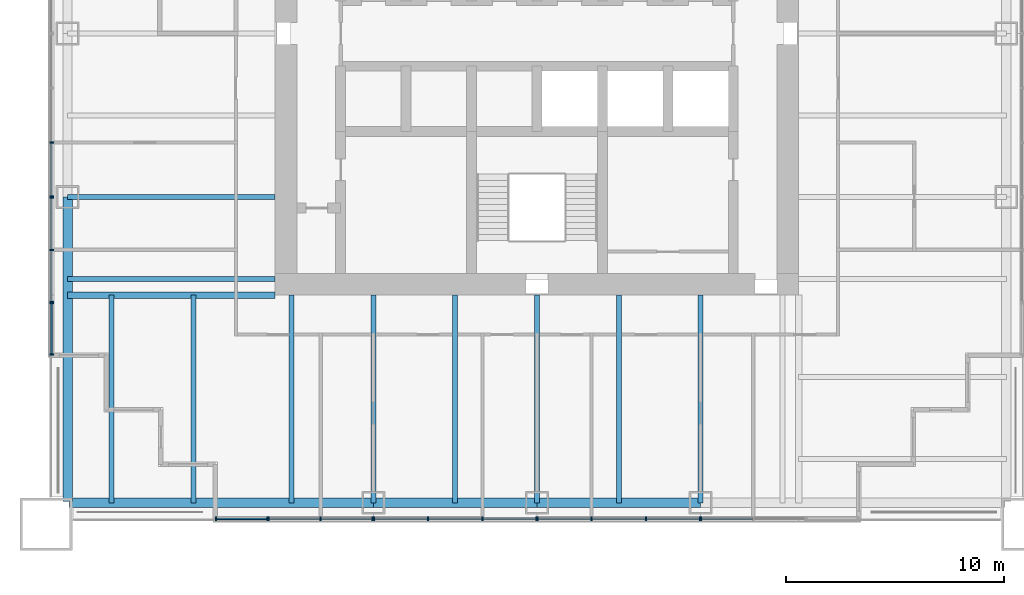
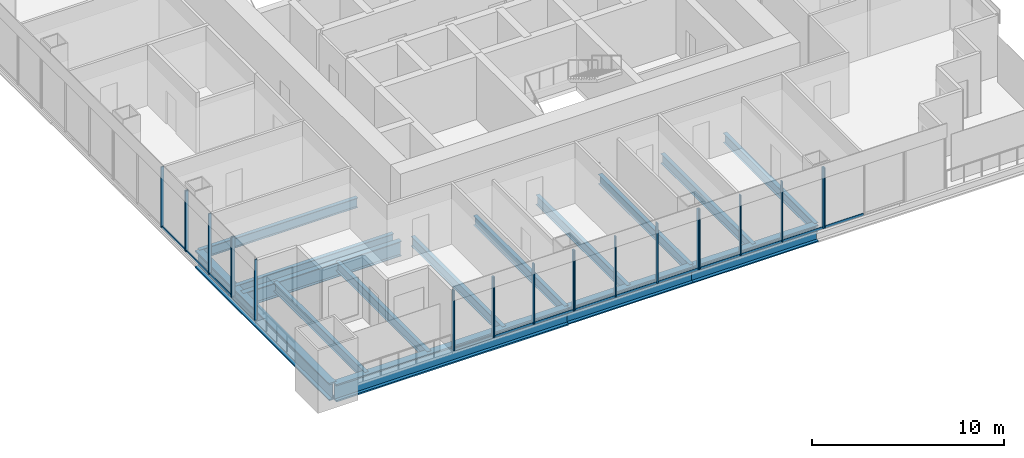
# One storey, part 2 of 13: 35 members, 15 beams, 8 elements without a shape of their own.
"""IFC4 building model written with IfcOpenShell, lengths in metres."""

from ifc_helpers import new_model, si_unit, direction, frame, origin, origin_2d, place, context, subcontext, project, spatial, rectangle, i_section, extrude, material, material_profile, profile_set, type_object, element, aggregate, save


model = new_model("IFC4")

# Units and contexts
model_context = context("Model", 3, precision=1e-05, world=origin(), true_north=direction((0.0, 1.0)))
body_context = subcontext(model_context, "Body", "Model", "MODEL_VIEW")
ifc_project = project(units=[si_unit("LENGTHUNIT", "METRE"), si_unit("AREAUNIT", "SQUARE_METRE"), si_unit("VOLUMEUNIT", "CUBIC_METRE"), si_unit("PLANEANGLEUNIT", "RADIAN"), si_unit("MASSUNIT", "GRAM", prefix="KILO")], contexts=[model_context])

# Site, building, storey
site_placement = place(None, origin())
site = spatial("IfcSite", under=ifc_project, at=site_placement, CompositionType="ELEMENT")
building_placement = place(site_placement, origin())
building = spatial("IfcBuilding", under=site, at=building_placement, Name="Tarangal Relay Tower", CompositionType="ELEMENT")
storey_placement = place(building_placement, frame((0.0, 0.0, 181.89990234375)))
storey = spatial("IfcBuildingStorey", under=building, at=storey_placement, Name="L37", CompositionType="ELEMENT", Elevation=181.89990234375)

# Beams
ifc_material_1 = material(Name="Steel ASTM A992", Category="steel")
ifc_material_profile_1 = material_profile(ifc_material_1, i_section(OverallWidth=0.227783203125, OverallDepth=0.60205078125, WebThickness=0.010498046875, FlangeThickness=0.014892578125, at=origin_2d()), Name="W24X68")
ifc_profile_set_1 = profile_set([ifc_material_profile_1], Name="Steel ASTM A992")
beam_type_1 = type_object("IfcBeamType", Name="Corner beam W24X68", PredefinedType="JOIST", material=ifc_profile_set_1)
for number, where, z_axis, x_axis, name in (
    (1, (-15.75, -12.0, -0.450927734375), (0.0, -1.0, 0.0), (1.0, 0.0, 0.0), "Corner beam CB11 S L37"),
    (2, (-19.5, -12.0, -0.450927734375), (0.0, -1.0, 0.0), (1.0, 0.0, 0.0), "Corner beam CB11 S L37"),
):
    element("IfcBeam", number, at=place(storey_placement, frame(where, z_axis=z_axis, x_axis=x_axis)), inside=storey, type_object=beam_type_1, Name=name, PredefinedType="JOIST", context=body_context, shape_type="SweptSolid", body=[
        extrude(i_section(OverallWidth=0.227783203125, OverallDepth=0.60205078125, WebThickness=0.010498046875, FlangeThickness=0.014892578125, at=origin_2d()), origin(), (0.0, 0.0, 1.0), 9.514892578125),
    ])
ifc_material_profile_2 = material_profile(ifc_material_1, i_section(OverallWidth=0.307373046875, OverallDepth=0.9423828125, WebThickness=0.022216796875, FlangeThickness=0.039794921875, at=origin_2d()), Name="W36X232")
ifc_profile_set_2 = profile_set([ifc_material_profile_2], Name="Steel ASTM A992")
beam_type_2 = type_object("IfcBeamType", Name="Corner girder W36X232", PredefinedType="BEAM", material=ifc_profile_set_2)
beam_placement = place(storey_placement, frame((-12.0, -12.0, -0.62109375), z_axis=(-1.0, 0.0, 0.0), x_axis=(0.0, -1.0, 0.0)))
element("IfcBeam", 3, at=beam_placement, inside=storey, type_object=beam_type_2, Name="Corner girder CG4 S L37", PredefinedType="BEAM", context=body_context, shape_type="SweptSolid", body=[
    extrude(i_section(OverallWidth=0.307373046875, OverallDepth=0.9423828125, WebThickness=0.022216796875, FlangeThickness=0.039794921875, at=origin_2d()), origin(), (0.0, 0.0, 1.0), 9.514892578125),
])
ifc_material_profile_3 = material_profile(ifc_material_1, i_section(OverallWidth=0.41650390625, OverallDepth=1.0693359375, WebThickness=0.0390625, FlangeThickness=0.070068359375, at=origin_2d()), Name="W40X503")
ifc_profile_set_3 = profile_set([ifc_material_profile_3], Name="Steel ASTM A992")
beam_type_3 = type_object("IfcBeamType", Name="Edge girder W40X503", PredefinedType="SPANDREL", material=ifc_profile_set_3)
for number, where, z_axis, x_axis, name in (
    (4, (7.5, -21.514892578125, -0.6845703125), (-1.0, 0.0, 0.0), (0.0, -1.0, 0.0), "Edge girder EG8 S L37"),
    (5, (0.0, -21.514892578125, -0.6845703125), (-1.0, 0.0, 0.0), (0.0, -1.0, 0.0), "Edge girder EG8 S L37"),
):
    element("IfcBeam", number, at=place(storey_placement, frame(where, z_axis=z_axis, x_axis=x_axis)), inside=storey, type_object=beam_type_3, Name=name, PredefinedType="SPANDREL", context=body_context, shape_type="SweptSolid", body=[
        extrude(i_section(OverallWidth=0.41650390625, OverallDepth=1.0693359375, WebThickness=0.0390625, FlangeThickness=0.070068359375, at=origin_2d()), origin(), (0.0, 0.0, 1.0), 7.5),
    ])
ifc_material_profile_4 = material_profile(ifc_material_1, i_section(OverallWidth=0.42919921875, OverallDepth=1.107421875, WebThickness=0.050048828125, FlangeThickness=0.08984375, at=origin_2d()), Name="W40X655")
ifc_profile_set_4 = profile_set([ifc_material_profile_4], Name="Steel ASTM A992")
beam_type_4 = type_object("IfcBeamType", Name="Edge girder W40X655", PredefinedType="SPANDREL", material=ifc_profile_set_4)
for number, where, z_axis, x_axis, name in (
    (6, (-7.5, -21.514892578125, -0.70361328125), (-1.0, 0.0, 0.0), (0.0, -1.0, 0.0), "Edge girder EG10 S L37"),
    (7, (-21.514892578125, -21.449951171875, -0.70361328125), (0.0, 1.0, 0.0), (-1.0, 0.0, 0.0), "Edge girder EG10 W L37"),
):
    element("IfcBeam", number, at=place(storey_placement, frame(where, z_axis=z_axis, x_axis=x_axis)), inside=storey, type_object=beam_type_4, Name=name, PredefinedType="SPANDREL", context=body_context, shape_type="SweptSolid", body=[
        extrude(i_section(OverallWidth=0.42919921875, OverallDepth=1.107421875, WebThickness=0.050048828125, FlangeThickness=0.08984375, at=origin_2d()), origin(), (0.0, 0.0, 1.0), 13.949951171875),
    ])
ifc_material_profile_5 = material_profile(ifc_material_1, i_section(OverallWidth=0.22900390625, OverallDepth=0.612060546875, WebThickness=0.011962890625, FlangeThickness=0.01953125, at=origin_2d()), Name="W24X84")
ifc_profile_set_5 = profile_set([ifc_material_profile_5], Name="Steel ASTM A992")
beam_type_5 = type_object("IfcBeamType", Name="Floor beam W24X84", PredefinedType="BEAM", material=ifc_profile_set_5)
for number, where, z_axis, x_axis, name in (
    (8, (7.5, -12.0, -0.455810546875), (0.0, -1.0, 0.0), (1.0, 0.0, 0.0), "Floor beam RB12 S L37"),
    (9, (3.75, -12.0, -0.455810546875), (0.0, -1.0, 0.0), (1.0, 0.0, 0.0), "Floor beam RB12 S L37"),
    (10, (0.0, -12.0, -0.455810546875), (0.0, -1.0, 0.0), (1.0, 0.0, 0.0), "Floor beam RB12 S L37"),
    (11, (-3.75, -12.0, -0.455810546875), (0.0, -1.0, 0.0), (1.0, 0.0, 0.0), "Floor beam RB12 S L37"),
    (12, (-7.5, -12.0, -0.455810546875), (0.0, -1.0, 0.0), (1.0, 0.0, 0.0), "Floor beam RB12 S L37"),
    (13, (-11.25, -12.0, -0.455810546875), (0.0, -1.0, 0.0), (1.0, 0.0, 0.0), "Floor beam RB12 S L37"),
    (14, (-12.0, -11.25, -0.455810546875), (-1.0, 0.0, 0.0), (0.0, -1.0, 0.0), "Floor beam RB12 W L37"),
    (15, (-12.0, -7.5, -0.455810546875), (-1.0, 0.0, 0.0), (0.0, -1.0, 0.0), "Floor beam RB12 W L37"),
):
    element("IfcBeam", number, at=place(storey_placement, frame(where, z_axis=z_axis, x_axis=x_axis)), inside=storey, type_object=beam_type_5, Name=name, PredefinedType="BEAM", context=body_context, shape_type="SweptSolid", body=[
        extrude(i_section(OverallWidth=0.22900390625, OverallDepth=0.612060546875, WebThickness=0.011962890625, FlangeThickness=0.01953125, at=origin_2d()), origin(), (0.0, 0.0, 1.0), 9.514892578125),
    ])

# Curtain wall, member
ifc_material_2 = material(Name="Unitised curtain wall, dark glass and black aluminium", Category="aluminium")
curtain_wall_type_1 = type_object("IfcCurtainWallType", Name="Curtain wall CW-A", PredefinedType="USERDEFINED", material=ifc_material_2)
curtain_wall_1_placement = place(storey_placement, origin())
curtain_wall_1 = element("IfcCurtainWall", 16, at=curtain_wall_1_placement, inside=storey, type_object=curtain_wall_type_1, Name="Curtain wall CW-A S facade L37", ObjectType="UNITISED CURTAIN WALL", PredefinedType="USERDEFINED")
ifc_material_3 = material(Name="Black anodised aluminium mullion", Category="aluminium")
ifc_material_profile_6 = material_profile(ifc_material_3, rectangle(XDim=0.175048828125, YDim=0.06494140625, at=origin_2d()), Name="CW-AM 65X175")
ifc_profile_set_6 = profile_set([ifc_material_profile_6], Name="Black anodised aluminium mullion")
member_type_1 = type_object("IfcMemberType", Name="Mullion CW-A 65 x 175", PredefinedType="MULLION", material=ifc_profile_set_6)
member_1_placement = place(storey_placement, frame((7.532470703125, -22.25, 0.0), z_axis=(0.0, 0.0, 1.0), x_axis=(0.0, -1.0, 0.0)))
member_1 = element("IfcMember", 17, at=member_1_placement, type_object=member_type_1, Name="CW-A mullion 3", PredefinedType="MULLION", context=body_context, shape_type="SweptSolid", body=[
    extrude(rectangle(XDim=0.175048828125, YDim=0.06494140625, at=origin_2d()), origin(), (0.0, 0.0, 1.0), 3.85009765625),
])

# Curtain wall, members
curtain_wall_2_placement = place(storey_placement, origin())
curtain_wall_2 = element("IfcCurtainWall", 18, at=curtain_wall_2_placement, inside=storey, type_object=curtain_wall_type_1, Name="Curtain wall CW-A S facade L37", ObjectType="UNITISED CURTAIN WALL", PredefinedType="USERDEFINED")
member_2_placement = place(storey_placement, frame((7.467529296875, -22.25, 0.0), z_axis=(0.0, 0.0, 1.0), x_axis=(0.0, -1.0, 0.0)))
member_2 = element("IfcMember", 19, at=member_2_placement, type_object=member_type_1, Name="CW-A mullion 1", PredefinedType="MULLION", context=body_context, shape_type="SweptSolid", body=[
    extrude(rectangle(XDim=0.175048828125, YDim=0.06494140625, at=origin_2d()), origin(), (0.0, 0.0, 1.0), 3.85009765625),
])
member_3_placement = place(storey_placement, frame((5.0, -22.25, 0.0), z_axis=(0.0, 0.0, 1.0), x_axis=(0.0, -1.0, 0.0)))
member_3 = element("IfcMember", 20, at=member_3_placement, type_object=member_type_1, Name="CW-A mullion 2", PredefinedType="MULLION", context=body_context, shape_type="SweptSolid", body=[
    extrude(rectangle(XDim=0.175048828125, YDim=0.06494140625, at=origin_2d()), origin(), (0.0, 0.0, 1.0), 3.85009765625),
])
member_4_placement = place(storey_placement, frame((2.5, -22.25, 0.0), z_axis=(0.0, 0.0, 1.0), x_axis=(0.0, -1.0, 0.0)))
member_4 = element("IfcMember", 21, at=member_4_placement, type_object=member_type_1, Name="CW-A mullion 3", PredefinedType="MULLION", context=body_context, shape_type="SweptSolid", body=[
    extrude(rectangle(XDim=0.175048828125, YDim=0.06494140625, at=origin_2d()), origin(), (0.0, 0.0, 1.0), 3.85009765625),
])
member_5_placement = place(storey_placement, frame((0.032470703125, -22.25, 0.0), z_axis=(0.0, 0.0, 1.0), x_axis=(0.0, -1.0, 0.0)))
member_5 = element("IfcMember", 22, at=member_5_placement, type_object=member_type_1, Name="CW-A mullion 4", PredefinedType="MULLION", context=body_context, shape_type="SweptSolid", body=[
    extrude(rectangle(XDim=0.175048828125, YDim=0.06494140625, at=origin_2d()), origin(), (0.0, 0.0, 1.0), 3.85009765625),
])

curtain_wall_3_placement = place(storey_placement, origin())
curtain_wall_3 = element("IfcCurtainWall", 23, at=curtain_wall_3_placement, inside=storey, type_object=curtain_wall_type_1, Name="Curtain wall CW-A S facade L37", ObjectType="UNITISED CURTAIN WALL", PredefinedType="USERDEFINED")
member_6_placement = place(storey_placement, frame((-0.032470703125, -22.25, 0.0), z_axis=(0.0, 0.0, 1.0), x_axis=(0.0, -1.0, 0.0)))
member_6 = element("IfcMember", 24, at=member_6_placement, type_object=member_type_1, Name="CW-A mullion 1", PredefinedType="MULLION", context=body_context, shape_type="SweptSolid", body=[
    extrude(rectangle(XDim=0.175048828125, YDim=0.06494140625, at=origin_2d()), origin(), (0.0, 0.0, 1.0), 3.85009765625),
])
member_7_placement = place(storey_placement, frame((-2.5, -22.25, 0.0), z_axis=(0.0, 0.0, 1.0), x_axis=(0.0, -1.0, 0.0)))
member_7 = element("IfcMember", 25, at=member_7_placement, type_object=member_type_1, Name="CW-A mullion 2", PredefinedType="MULLION", context=body_context, shape_type="SweptSolid", body=[
    extrude(rectangle(XDim=0.175048828125, YDim=0.06494140625, at=origin_2d()), origin(), (0.0, 0.0, 1.0), 3.85009765625),
])
member_8_placement = place(storey_placement, frame((-5.0, -22.25, 0.0), z_axis=(0.0, 0.0, 1.0), x_axis=(0.0, -1.0, 0.0)))
member_8 = element("IfcMember", 26, at=member_8_placement, type_object=member_type_1, Name="CW-A mullion 3", PredefinedType="MULLION", context=body_context, shape_type="SweptSolid", body=[
    extrude(rectangle(XDim=0.175048828125, YDim=0.06494140625, at=origin_2d()), origin(), (0.0, 0.0, 1.0), 3.85009765625),
])
member_9_placement = place(storey_placement, frame((-7.467529296875, -22.25, 0.0), z_axis=(0.0, 0.0, 1.0), x_axis=(0.0, -1.0, 0.0)))
member_9 = element("IfcMember", 27, at=member_9_placement, type_object=member_type_1, Name="CW-A mullion 4", PredefinedType="MULLION", context=body_context, shape_type="SweptSolid", body=[
    extrude(rectangle(XDim=0.175048828125, YDim=0.06494140625, at=origin_2d()), origin(), (0.0, 0.0, 1.0), 3.85009765625),
])

curtain_wall_4_placement = place(storey_placement, origin())
curtain_wall_4 = element("IfcCurtainWall", 28, at=curtain_wall_4_placement, inside=storey, type_object=curtain_wall_type_1, Name="Curtain wall CW-A S facade L37", ObjectType="UNITISED CURTAIN WALL", PredefinedType="USERDEFINED")
member_10_placement = place(storey_placement, frame((-7.532470703125, -22.25, 0.0), z_axis=(0.0, 0.0, 1.0), x_axis=(0.0, -1.0, 0.0)))
member_10 = element("IfcMember", 29, at=member_10_placement, type_object=member_type_1, Name="CW-A mullion 1", PredefinedType="MULLION", context=body_context, shape_type="SweptSolid", body=[
    extrude(rectangle(XDim=0.175048828125, YDim=0.06494140625, at=origin_2d()), origin(), (0.0, 0.0, 1.0), 3.85009765625),
])
member_11_placement = place(storey_placement, frame((-9.916748046875, -22.25, 0.0), z_axis=(0.0, 0.0, 1.0), x_axis=(0.0, -1.0, 0.0)))
member_11 = element("IfcMember", 30, at=member_11_placement, type_object=member_type_1, Name="CW-A mullion 2", PredefinedType="MULLION", context=body_context, shape_type="SweptSolid", body=[
    extrude(rectangle(XDim=0.175048828125, YDim=0.06494140625, at=origin_2d()), origin(), (0.0, 0.0, 1.0), 3.85009765625),
])
member_12_placement = place(storey_placement, frame((-12.30078125, -22.25, 0.0), z_axis=(0.0, 0.0, 1.0), x_axis=(0.0, -1.0, 0.0)))
member_12 = element("IfcMember", 31, at=member_12_placement, type_object=member_type_1, Name="CW-A mullion 3", PredefinedType="MULLION", context=body_context, shape_type="SweptSolid", body=[
    extrude(rectangle(XDim=0.175048828125, YDim=0.06494140625, at=origin_2d()), origin(), (0.0, 0.0, 1.0), 3.85009765625),
])

curtain_wall_5_placement = place(storey_placement, origin())
curtain_wall_5 = element("IfcCurtainWall", 32, at=curtain_wall_5_placement, inside=storey, type_object=curtain_wall_type_1, Name="Curtain wall CW-A W facade L37", ObjectType="UNITISED CURTAIN WALL", PredefinedType="USERDEFINED")
member_13_placement = place(storey_placement, frame((-22.25, -12.30078125, 0.0), z_axis=(0.0, 0.0, 1.0), x_axis=(-1.0, 0.0, 0.0)))
member_13 = element("IfcMember", 33, at=member_13_placement, type_object=member_type_1, Name="CW-A mullion 1", PredefinedType="MULLION", context=body_context, shape_type="SweptSolid", body=[
    extrude(rectangle(XDim=0.175048828125, YDim=0.06494140625, at=origin_2d()), origin(), (0.0, 0.0, 1.0), 3.85009765625),
])
member_14_placement = place(storey_placement, frame((-22.25, -9.916748046875, 0.0), z_axis=(0.0, 0.0, 1.0), x_axis=(-1.0, 0.0, 0.0)))
member_14 = element("IfcMember", 34, at=member_14_placement, type_object=member_type_1, Name="CW-A mullion 2", PredefinedType="MULLION", context=body_context, shape_type="SweptSolid", body=[
    extrude(rectangle(XDim=0.175048828125, YDim=0.06494140625, at=origin_2d()), origin(), (0.0, 0.0, 1.0), 3.85009765625),
])
member_15_placement = place(storey_placement, frame((-22.25, -7.532470703125, 0.0), z_axis=(0.0, 0.0, 1.0), x_axis=(-1.0, 0.0, 0.0)))
member_15 = element("IfcMember", 35, at=member_15_placement, type_object=member_type_1, Name="CW-A mullion 3", PredefinedType="MULLION", context=body_context, shape_type="SweptSolid", body=[
    extrude(rectangle(XDim=0.175048828125, YDim=0.06494140625, at=origin_2d()), origin(), (0.0, 0.0, 1.0), 3.85009765625),
])

curtain_wall_6_placement = place(storey_placement, origin())
curtain_wall_6 = element("IfcCurtainWall", 36, at=curtain_wall_6_placement, inside=storey, type_object=curtain_wall_type_1, Name="Curtain wall CW-A W facade L37", ObjectType="UNITISED CURTAIN WALL", PredefinedType="USERDEFINED")
member_16_placement = place(storey_placement, frame((-22.25, -7.467529296875, 0.0), z_axis=(0.0, 0.0, 1.0), x_axis=(-1.0, 0.0, 0.0)))
member_16 = element("IfcMember", 37, at=member_16_placement, type_object=member_type_1, Name="CW-A mullion 1", PredefinedType="MULLION", context=body_context, shape_type="SweptSolid", body=[
    extrude(rectangle(XDim=0.175048828125, YDim=0.06494140625, at=origin_2d()), origin(), (0.0, 0.0, 1.0), 3.85009765625),
])
member_17_placement = place(storey_placement, frame((-22.25, -5.0, 0.0), z_axis=(0.0, 0.0, 1.0), x_axis=(-1.0, 0.0, 0.0)))
member_17 = element("IfcMember", 38, at=member_17_placement, type_object=member_type_1, Name="CW-A mullion 2", PredefinedType="MULLION", context=body_context, shape_type="SweptSolid", body=[
    extrude(rectangle(XDim=0.175048828125, YDim=0.06494140625, at=origin_2d()), origin(), (0.0, 0.0, 1.0), 3.85009765625),
])

ifc_material_4 = material(Name="Unitised curtain wall frame, black aluminium, with metal clad infill walls", Category="aluminium")
curtain_wall_type_2 = type_object("IfcCurtainWallType", Name="Curtain wall CW-AO", PredefinedType="USERDEFINED", material=ifc_material_4)
curtain_wall_7_placement = place(storey_placement, origin())
curtain_wall_7 = element("IfcCurtainWall", 39, at=curtain_wall_7_placement, inside=storey, type_object=curtain_wall_type_2, Name="Curtain wall CW-AO S facade L37", ObjectType="UNITISED CURTAIN WALL", PredefinedType="USERDEFINED")
ifc_material_profile_7 = material_profile(ifc_material_3, rectangle(XDim=0.175048828125, YDim=0.06494140625, at=origin_2d()), Name="CW-AOM 65X175")
ifc_profile_set_7 = profile_set([ifc_material_profile_7], Name="Black anodised aluminium mullion")
member_type_2 = type_object("IfcMemberType", Name="Mullion CW-AO 65 x 175", PredefinedType="MULLION", material=ifc_profile_set_7)
member_18_placement = place(storey_placement, frame((-12.36572265625, -22.25, 0.0), z_axis=(0.0, 0.0, 1.0), x_axis=(0.0, -1.0, 0.0)))
member_18 = element("IfcMember", 40, at=member_18_placement, type_object=member_type_2, Name="CW-AO mullion 1", PredefinedType="MULLION", context=body_context, shape_type="SweptSolid", body=[
    extrude(rectangle(XDim=0.175048828125, YDim=0.06494140625, at=origin_2d()), origin(), (0.0, 0.0, 1.0), 3.85009765625),
])
member_19_placement = place(storey_placement, frame((-14.717529296875, -22.25, 0.0), z_axis=(0.0, 0.0, 1.0), x_axis=(0.0, -1.0, 0.0)))
member_19 = element("IfcMember", 41, at=member_19_placement, type_object=member_type_2, Name="CW-AO mullion 2", PredefinedType="MULLION", context=body_context, shape_type="SweptSolid", body=[
    extrude(rectangle(XDim=0.175048828125, YDim=0.06494140625, at=origin_2d()), origin(), (0.0, 0.0, 1.0), 3.85009765625),
])

curtain_wall_8_placement = place(storey_placement, origin())
curtain_wall_8 = element("IfcCurtainWall", 42, at=curtain_wall_8_placement, inside=storey, type_object=curtain_wall_type_2, Name="Curtain wall CW-AO W facade L37", ObjectType="UNITISED CURTAIN WALL", PredefinedType="USERDEFINED")
member_20_placement = place(storey_placement, frame((-22.25, -14.717529296875, 0.0), z_axis=(0.0, 0.0, 1.0), x_axis=(-1.0, 0.0, 0.0)))
member_20 = element("IfcMember", 43, at=member_20_placement, type_object=member_type_2, Name="CW-AO mullion 1", PredefinedType="MULLION", context=body_context, shape_type="SweptSolid", body=[
    extrude(rectangle(XDim=0.175048828125, YDim=0.06494140625, at=origin_2d()), origin(), (0.0, 0.0, 1.0), 3.85009765625),
])
member_21_placement = place(storey_placement, frame((-22.25, -12.36572265625, 0.0), z_axis=(0.0, 0.0, 1.0), x_axis=(-1.0, 0.0, 0.0)))
member_21 = element("IfcMember", 44, at=member_21_placement, type_object=member_type_2, Name="CW-AO mullion 2", PredefinedType="MULLION", context=body_context, shape_type="SweptSolid", body=[
    extrude(rectangle(XDim=0.175048828125, YDim=0.06494140625, at=origin_2d()), origin(), (0.0, 0.0, 1.0), 3.85009765625),
])

# Member
ifc_material_5 = material(Name="Black anodised aluminium transom", Category="aluminium")
ifc_material_profile_8 = material_profile(ifc_material_5, rectangle(XDim=0.06494140625, YDim=0.14990234375, at=origin_2d()), Name="CW-AT 65X150")
ifc_profile_set_8 = profile_set([ifc_material_profile_8], Name="Black anodised aluminium transom")
member_type_3 = type_object("IfcMemberType", Name="Transom CW-A 65 x 150", PredefinedType="USERDEFINED", material=ifc_profile_set_8)
member_22_placement = place(storey_placement, frame((9.884033203125, -22.25, 0.03271484375), z_axis=(-1.0, 0.0, 0.0), x_axis=(0.0, -1.0, 0.0)))
member_22 = element("IfcMember", 45, at=member_22_placement, type_object=member_type_3, Name="CW-A transom 2.1", ObjectType="TRANSOM", PredefinedType="USERDEFINED", context=body_context, shape_type="SweptSolid", body=[
    extrude(rectangle(XDim=0.06494140625, YDim=0.14990234375, at=origin_2d()), origin(), (0.0, 0.0, 1.0), 2.319091796875),
])

aggregate(curtain_wall_1, [member_1, member_22])

member_23_placement = place(storey_placement, frame((7.43505859375, -22.25, 0.03271484375), z_axis=(-1.0, 0.0, 0.0), x_axis=(0.0, -1.0, 0.0)))
member_23 = element("IfcMember", 46, at=member_23_placement, type_object=member_type_3, Name="CW-A transom 1.1", ObjectType="TRANSOM", PredefinedType="USERDEFINED", context=body_context, shape_type="SweptSolid", body=[
    extrude(rectangle(XDim=0.06494140625, YDim=0.14990234375, at=origin_2d()), origin(), (0.0, 0.0, 1.0), 2.402587890625),
])

member_24_placement = place(storey_placement, frame((4.967529296875, -22.25, 0.03271484375), z_axis=(-1.0, 0.0, 0.0), x_axis=(0.0, -1.0, 0.0)))
member_24 = element("IfcMember", 47, at=member_24_placement, type_object=member_type_3, Name="CW-A transom 2.1", ObjectType="TRANSOM", PredefinedType="USERDEFINED", context=body_context, shape_type="SweptSolid", body=[
    extrude(rectangle(XDim=0.06494140625, YDim=0.14990234375, at=origin_2d()), origin(), (0.0, 0.0, 1.0), 2.43505859375),
])

member_25_placement = place(storey_placement, frame((2.467529296875, -22.25, 0.03271484375), z_axis=(-1.0, 0.0, 0.0), x_axis=(0.0, -1.0, 0.0)))
member_25 = element("IfcMember", 48, at=member_25_placement, type_object=member_type_3, Name="CW-A transom 3.1", ObjectType="TRANSOM", PredefinedType="USERDEFINED", context=body_context, shape_type="SweptSolid", body=[
    extrude(rectangle(XDim=0.06494140625, YDim=0.14990234375, at=origin_2d()), origin(), (0.0, 0.0, 1.0), 2.402587890625),
])

aggregate(curtain_wall_2, [member_2, member_3, member_4, member_5, member_23, member_24, member_25])

member_26_placement = place(storey_placement, frame((-0.06494140625, -22.25, 0.03271484375), z_axis=(-1.0, 0.0, 0.0), x_axis=(0.0, -1.0, 0.0)))
member_26 = element("IfcMember", 49, at=member_26_placement, type_object=member_type_3, Name="CW-A transom 1.1", ObjectType="TRANSOM", PredefinedType="USERDEFINED", context=body_context, shape_type="SweptSolid", body=[
    extrude(rectangle(XDim=0.06494140625, YDim=0.14990234375, at=origin_2d()), origin(), (0.0, 0.0, 1.0), 2.402587890625),
])

member_27_placement = place(storey_placement, frame((-2.532470703125, -22.25, 0.03271484375), z_axis=(-1.0, 0.0, 0.0), x_axis=(0.0, -1.0, 0.0)))
member_27 = element("IfcMember", 50, at=member_27_placement, type_object=member_type_3, Name="CW-A transom 2.1", ObjectType="TRANSOM", PredefinedType="USERDEFINED", context=body_context, shape_type="SweptSolid", body=[
    extrude(rectangle(XDim=0.06494140625, YDim=0.14990234375, at=origin_2d()), origin(), (0.0, 0.0, 1.0), 2.43505859375),
])

member_28_placement = place(storey_placement, frame((-5.032470703125, -22.25, 0.03271484375), z_axis=(-1.0, 0.0, 0.0), x_axis=(0.0, -1.0, 0.0)))
member_28 = element("IfcMember", 51, at=member_28_placement, type_object=member_type_3, Name="CW-A transom 3.1", ObjectType="TRANSOM", PredefinedType="USERDEFINED", context=body_context, shape_type="SweptSolid", body=[
    extrude(rectangle(XDim=0.06494140625, YDim=0.14990234375, at=origin_2d()), origin(), (0.0, 0.0, 1.0), 2.402587890625),
])

aggregate(curtain_wall_3, [member_6, member_7, member_8, member_9, member_26, member_27, member_28])

member_29_placement = place(storey_placement, frame((-7.56494140625, -22.25, 0.03271484375), z_axis=(-1.0, 0.0, 0.0), x_axis=(0.0, -1.0, 0.0)))
member_29 = element("IfcMember", 52, at=member_29_placement, type_object=member_type_3, Name="CW-A transom 1.1", ObjectType="TRANSOM", PredefinedType="USERDEFINED", context=body_context, shape_type="SweptSolid", body=[
    extrude(rectangle(XDim=0.06494140625, YDim=0.14990234375, at=origin_2d()), origin(), (0.0, 0.0, 1.0), 2.319091796875),
])

member_30_placement = place(storey_placement, frame((-9.94921875, -22.25, 0.03271484375), z_axis=(-1.0, 0.0, 0.0), x_axis=(0.0, -1.0, 0.0)))
member_30 = element("IfcMember", 53, at=member_30_placement, type_object=member_type_3, Name="CW-A transom 2.1", ObjectType="TRANSOM", PredefinedType="USERDEFINED", context=body_context, shape_type="SweptSolid", body=[
    extrude(rectangle(XDim=0.06494140625, YDim=0.14990234375, at=origin_2d()), origin(), (0.0, 0.0, 1.0), 2.319091796875),
])

aggregate(curtain_wall_4, [member_10, member_11, member_12, member_29, member_30])

member_31_placement = place(storey_placement, frame((-22.25, -12.268310546875, 0.03271484375), z_axis=(0.0, 1.0, 0.0), x_axis=(-1.0, 0.0, 0.0)))
member_31 = element("IfcMember", 54, at=member_31_placement, type_object=member_type_3, Name="CW-A transom 1.1", ObjectType="TRANSOM", PredefinedType="USERDEFINED", context=body_context, shape_type="SweptSolid", body=[
    extrude(rectangle(XDim=0.06494140625, YDim=0.14990234375, at=origin_2d()), origin(), (0.0, 0.0, 1.0), 2.319091796875),
])

member_32_placement = place(storey_placement, frame((-22.25, -9.884033203125, 0.03271484375), z_axis=(0.0, 1.0, 0.0), x_axis=(-1.0, 0.0, 0.0)))
member_32 = element("IfcMember", 55, at=member_32_placement, type_object=member_type_3, Name="CW-A transom 2.1", ObjectType="TRANSOM", PredefinedType="USERDEFINED", context=body_context, shape_type="SweptSolid", body=[
    extrude(rectangle(XDim=0.06494140625, YDim=0.14990234375, at=origin_2d()), origin(), (0.0, 0.0, 1.0), 2.319091796875),
])

aggregate(curtain_wall_5, [member_13, member_14, member_15, member_31, member_32])

member_33_placement = place(storey_placement, frame((-22.25, -7.43505859375, 0.03271484375), z_axis=(0.0, 1.0, 0.0), x_axis=(-1.0, 0.0, 0.0)))
member_33 = element("IfcMember", 56, at=member_33_placement, type_object=member_type_3, Name="CW-A transom 1.1", ObjectType="TRANSOM", PredefinedType="USERDEFINED", context=body_context, shape_type="SweptSolid", body=[
    extrude(rectangle(XDim=0.06494140625, YDim=0.14990234375, at=origin_2d()), origin(), (0.0, 0.0, 1.0), 2.402587890625),
])

aggregate(curtain_wall_6, [member_16, member_17, member_33])

ifc_material_profile_9 = material_profile(ifc_material_5, rectangle(XDim=0.06494140625, YDim=0.14990234375, at=origin_2d()), Name="CW-AOT 65X150")
ifc_profile_set_9 = profile_set([ifc_material_profile_9], Name="Black anodised aluminium transom")
member_type_4 = type_object("IfcMemberType", Name="Transom CW-AO 65 x 150", PredefinedType="USERDEFINED", material=ifc_profile_set_9)
member_34_placement = place(storey_placement, frame((-12.398193359375, -22.25, 0.03271484375), z_axis=(-1.0, 0.0, 0.0), x_axis=(0.0, -1.0, 0.0)))
member_34 = element("IfcMember", 57, at=member_34_placement, type_object=member_type_4, Name="CW-AO transom 1.1", ObjectType="TRANSOM", PredefinedType="USERDEFINED", context=body_context, shape_type="SweptSolid", body=[
    extrude(rectangle(XDim=0.06494140625, YDim=0.14990234375, at=origin_2d()), origin(), (0.0, 0.0, 1.0), 2.286865234375),
])

aggregate(curtain_wall_7, [member_18, member_19, member_34])

member_35_placement = place(storey_placement, frame((-22.25, -14.68505859375, 0.03271484375), z_axis=(0.0, 1.0, 0.0), x_axis=(-1.0, 0.0, 0.0)))
member_35 = element("IfcMember", 58, at=member_35_placement, type_object=member_type_4, Name="CW-AO transom 1.1", ObjectType="TRANSOM", PredefinedType="USERDEFINED", context=body_context, shape_type="SweptSolid", body=[
    extrude(rectangle(XDim=0.06494140625, YDim=0.14990234375, at=origin_2d()), origin(), (0.0, 0.0, 1.0), 2.286865234375),
])

aggregate(curtain_wall_8, [member_20, member_21, member_35])

save(model, "model.ifc")
